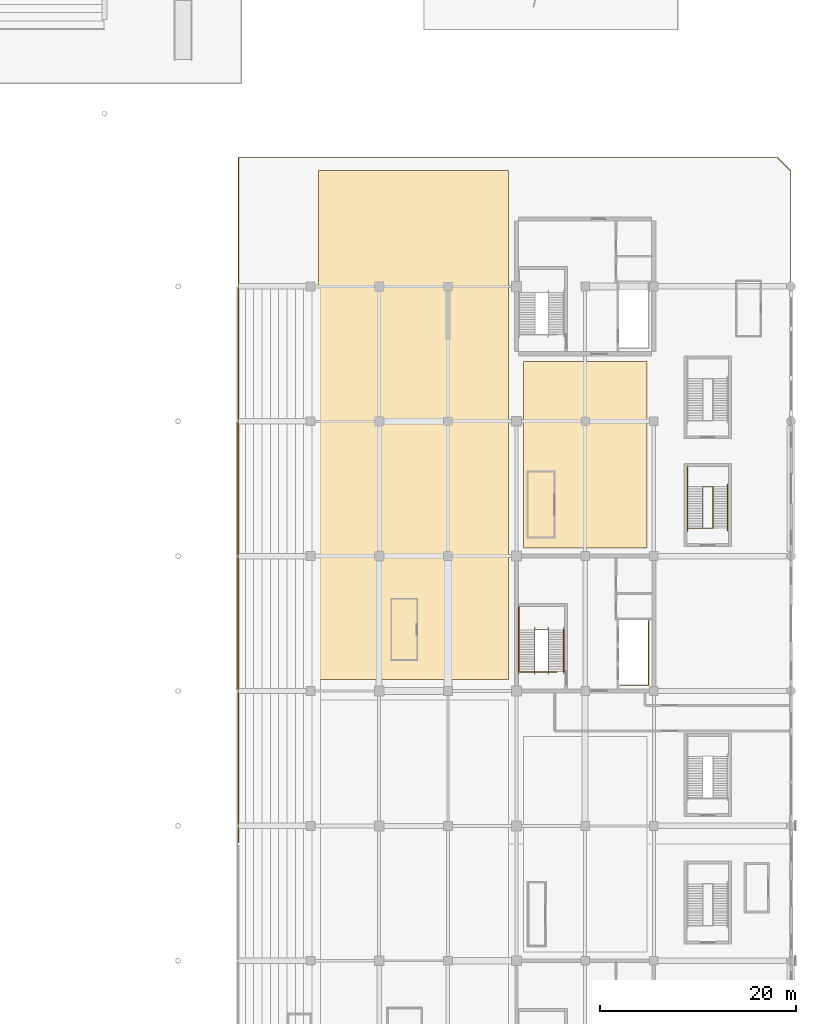
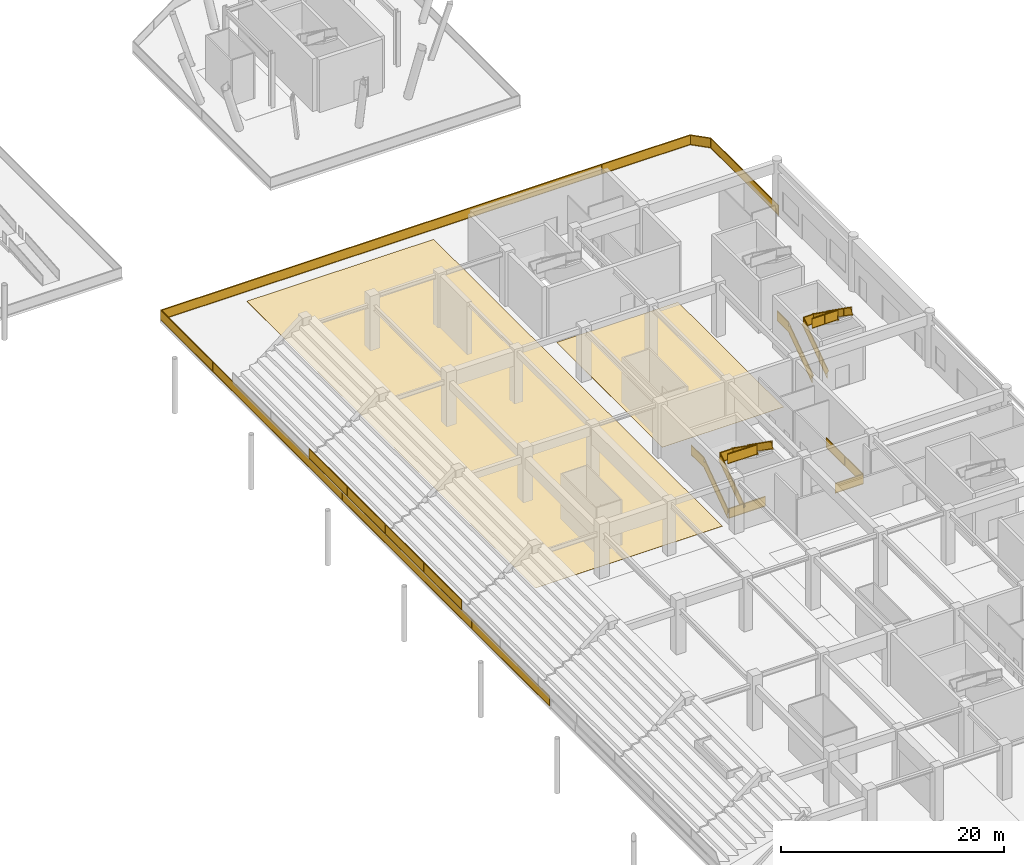
# One storey, part 66 of 73: 11 railings, 2 coverings.
"""IFC4 building model written with IfcOpenShell, lengths in metres."""

from ifc_helpers import new_model, si_unit, direction, frame, origin, origin_2d, place, context, subcontext, project, spatial, polyline, rectangle, outline, extrude, material, layer, layer_set, type_object, element, save


model = new_model("IFC4")

# Units and contexts
model_context = context("Model", 3, precision=1e-05, world=origin(), true_north=direction((0.0, 1.0)))
body_context = subcontext(model_context, "Body", "Model", "MODEL_VIEW")
ifc_project = project(units=[si_unit("LENGTHUNIT", "METRE"), si_unit("AREAUNIT", "SQUARE_METRE"), si_unit("VOLUMEUNIT", "CUBIC_METRE"), si_unit("PLANEANGLEUNIT", "RADIAN"), si_unit("MASSUNIT", "GRAM", prefix="KILO")], contexts=[model_context])

# Site, building, storey
site_placement = place(None, origin())
site = spatial("IfcSite", under=ifc_project, at=site_placement, CompositionType="ELEMENT")
building_placement = place(site_placement, origin())
building = spatial("IfcBuilding", under=site, at=building_placement, Name="Linyun Crest Stadium", CompositionType="ELEMENT")
storey_placement = place(building_placement, origin())
storey = spatial("IfcBuildingStorey", under=building, at=storey_placement, Name="L01", CompositionType="ELEMENT", Elevation=0.0)

# Coverings
ifc_material_1 = material(Name="Polymeric cushioned multi-sport athletic flooring")
ifc_layer = layer(ifc_material_1, 0.01806640625)
ifc_layer_set = layer_set([ifc_layer], Name="Polymeric cushioned multi-sport athletic flooring")
covering_type = type_object("IfcCoveringType", Name="FLR01", PredefinedType="FLOORING", material=ifc_layer_set)
covering_1_placement = place(storey_placement, origin())
element("IfcCovering", 1, at=covering_1_placement, inside=storey, type_object=covering_type, Name="Athletic flooring FLR01 12", PredefinedType="FLOORING", context=body_context, shape_type="SweptSolid", body=[
    extrude(outline(polyline([(49.800048828125, 3.300048828125), (69.199951171875, 3.300048828125), (69.199951171875, 55.199951171875), (49.800048828125, 55.199951171875), (49.800048828125, 3.300048828125)])), origin(), (0.0, 0.0, 1.0), 0.01806640625),
])
covering_2_placement = place(storey_placement, origin())
element("IfcCovering", 2, at=covering_2_placement, inside=storey, type_object=covering_type, Name="Athletic flooring FLR01 14", PredefinedType="FLOORING", context=body_context, shape_type="SweptSolid", body=[
    extrude(outline(polyline([(70.699951171875, 16.699951171875), (83.300048828125, 16.699951171875), (83.300048828125, 35.699951171875), (70.699951171875, 35.699951171875), (70.699951171875, 16.699951171875)])), origin(), (0.0, 0.0, 1.0), 0.01806640625),
])

# Railings
ifc_material_2 = material(Name="Galvanized and powder-coated steel bowl safety barrier", Category="steel")
railing_type_1 = type_object("IfcRailingType", Name="GR02", PredefinedType="GUARDRAIL", material=ifc_material_2)
for number, where, name in (
    (3, (41.5, 2.205078125, 1.199951171875), "Bowl front safety guard GR02 37"),
    (4, (41.5, 15.955078125, 1.199951171875), "Bowl front safety guard GR02 45"),
):
    element("IfcRailing", number, at=place(storey_placement, frame(where)), inside=storey, type_object=railing_type_1, Name=name, PredefinedType="GUARDRAIL", context=body_context, shape_type="SweptSolid", body=[
        extrude(rectangle(XDim=0.06005859375, YDim=0.06005859375, at=origin_2d()), frame((0.0, 0.0, 1.090087890625), z_axis=(0.0, 1.0, 0.0), x_axis=(-1.0, 0.0, 0.0)), (0.0, 0.0, 1.0), 13.58984375),
        extrude(rectangle(XDim=0.030029296875, YDim=1.0, at=origin_2d()), frame((0.0, 0.0, 0.56005859375), z_axis=(0.0, 1.0, 0.0), x_axis=(-1.0, 0.0, 0.0)), (0.0, 0.0, 1.0), 13.58984375),
        extrude(rectangle(XDim=0.06005859375, YDim=0.06005859375, at=origin_2d()), frame((0.0, 0.0, 0.030029296875), z_axis=(0.0, 1.0, 0.0), x_axis=(-1.0, 0.0, 0.0)), (0.0, 0.0, 1.0), 13.58984375),
        extrude(rectangle(XDim=0.050048828125, YDim=0.050048828125, at=origin_2d()), origin(), (0.0, 0.0, 1.0), 1.1201171875),
        extrude(rectangle(XDim=0.050048828125, YDim=0.050048828125, at=origin_2d()), frame((0.0, 2.264892578125, 0.0)), (0.0, 0.0, 1.0), 1.1201171875),
        extrude(rectangle(XDim=0.050048828125, YDim=0.050048828125, at=origin_2d()), frame((0.0, 4.530029296875, 0.0)), (0.0, 0.0, 1.0), 1.1201171875),
        extrude(rectangle(XDim=0.050048828125, YDim=0.050048828125, at=origin_2d()), frame((0.0, 6.794921875, 0.0)), (0.0, 0.0, 1.0), 1.1201171875),
        extrude(rectangle(XDim=0.050048828125, YDim=0.050048828125, at=origin_2d()), frame((0.0, 9.059814453125, 0.0)), (0.0, 0.0, 1.0), 1.1201171875),
        extrude(rectangle(XDim=0.050048828125, YDim=0.050048828125, at=origin_2d()), frame((0.0, 11.324951171875, 0.0)), (0.0, 0.0, 1.0), 1.1201171875),
        extrude(rectangle(XDim=0.050048828125, YDim=0.050048828125, at=origin_2d()), frame((0.0, 13.58984375, 0.0)), (0.0, 0.0, 1.0), 1.1201171875),
    ])
railing_1_placement = place(storey_placement, frame((41.659912109375, -13.330078125, 0.0)))
element("IfcRailing", 5, at=railing_1_placement, inside=storey, type_object=railing_type_1, Name="Slab edge balustrade GR02 107", PredefinedType="GUARDRAIL", context=body_context, shape_type="SweptSolid", body=[
    extrude(rectangle(XDim=0.06005859375, YDim=0.06005859375, at=origin_2d()), frame((0.0, 0.0, 1.090087890625), z_axis=(0.0, 1.0, 0.0), x_axis=(-1.0, 0.0, 0.0)), (0.0, 0.0, 1.0), 69.85498046875),
    extrude(rectangle(XDim=0.030029296875, YDim=1.0, at=origin_2d()), frame((0.0, 0.0, 0.56005859375), z_axis=(0.0, 1.0, 0.0), x_axis=(-1.0, 0.0, 0.0)), (0.0, 0.0, 1.0), 69.85498046875),
    extrude(rectangle(XDim=0.06005859375, YDim=0.06005859375, at=origin_2d()), frame((0.0, 0.0, 0.030029296875), z_axis=(0.0, 1.0, 0.0), x_axis=(-1.0, 0.0, 0.0)), (0.0, 0.0, 1.0), 69.85498046875),
    extrude(rectangle(XDim=0.06005859375, YDim=0.06005859375, at=origin_2d()), frame((0.0, 69.85498046875, 1.090087890625), z_axis=(1.0, 0.0, 0.0), x_axis=(0.0, 1.0, 0.0)), (0.0, 0.0, 1.0), 54.9150390625),
    extrude(rectangle(XDim=0.030029296875, YDim=1.0, at=origin_2d()), frame((0.0, 69.85498046875, 0.56005859375), z_axis=(1.0, 0.0, 0.0), x_axis=(0.0, 1.0, 0.0)), (0.0, 0.0, 1.0), 54.9150390625),
    extrude(rectangle(XDim=0.06005859375, YDim=0.06005859375, at=origin_2d()), frame((0.0, 69.85498046875, 0.030029296875), z_axis=(1.0, 0.0, 0.0), x_axis=(0.0, 1.0, 0.0)), (0.0, 0.0, 1.0), 54.9150390625),
    extrude(rectangle(XDim=0.06005859375, YDim=0.06005859375, at=origin_2d()), frame((54.9150390625, 69.85498046875, 1.090087890625), z_axis=(0.707106781187, -0.707106781187, 0.0), x_axis=(0.707106781187, 0.707106781187, 0.0)), (0.0, 0.0, 1.0), 1.930419921875),
    extrude(rectangle(XDim=0.030029296875, YDim=1.0, at=origin_2d()), frame((54.9150390625, 69.85498046875, 0.56005859375), z_axis=(0.707106781187, -0.707106781187, 0.0), x_axis=(0.707106781187, 0.707106781187, 0.0)), (0.0, 0.0, 1.0), 1.930419921875),
    extrude(rectangle(XDim=0.06005859375, YDim=0.06005859375, at=origin_2d()), frame((54.9150390625, 69.85498046875, 0.030029296875), z_axis=(0.707106781187, -0.707106781187, 0.0), x_axis=(0.707106781187, 0.707106781187, 0.0)), (0.0, 0.0, 1.0), 1.930419921875),
    extrude(rectangle(XDim=0.06005859375, YDim=0.06005859375, at=origin_2d()), frame((56.280029296875, 68.489990234375, 1.090087890625), z_axis=(0.0, -1.0, 0.0), x_axis=(1.0, 0.0, 0.0)), (0.0, 0.0, 1.0), 12.224853515625),
    extrude(rectangle(XDim=0.030029296875, YDim=1.0, at=origin_2d()), frame((56.280029296875, 68.489990234375, 0.56005859375), z_axis=(0.0, -1.0, 0.0), x_axis=(1.0, 0.0, 0.0)), (0.0, 0.0, 1.0), 12.224853515625),
    extrude(rectangle(XDim=0.06005859375, YDim=0.06005859375, at=origin_2d()), frame((56.280029296875, 68.489990234375, 0.030029296875), z_axis=(0.0, -1.0, 0.0), x_axis=(1.0, 0.0, 0.0)), (0.0, 0.0, 1.0), 12.224853515625),
    extrude(rectangle(XDim=0.050048828125, YDim=0.050048828125, at=origin_2d()), origin(), (0.0, 0.0, 1.0), 1.1201171875),
    extrude(rectangle(XDim=0.050048828125, YDim=0.050048828125, at=origin_2d()), frame((0.0, 4.656982421875, 0.0)), (0.0, 0.0, 1.0), 1.1201171875),
    extrude(rectangle(XDim=0.050048828125, YDim=0.050048828125, at=origin_2d()), frame((0.0, 9.31396484375, 0.0)), (0.0, 0.0, 1.0), 1.1201171875),
    extrude(rectangle(XDim=0.050048828125, YDim=0.050048828125, at=origin_2d()), frame((0.0, 13.970947265625, 0.0)), (0.0, 0.0, 1.0), 1.1201171875),
    extrude(rectangle(XDim=0.050048828125, YDim=0.050048828125, at=origin_2d()), frame((0.0, 18.6279296875, 0.0)), (0.0, 0.0, 1.0), 1.1201171875),
    extrude(rectangle(XDim=0.050048828125, YDim=0.050048828125, at=origin_2d()), frame((0.0, 23.284912109375, 0.0)), (0.0, 0.0, 1.0), 1.1201171875),
    extrude(rectangle(XDim=0.050048828125, YDim=0.050048828125, at=origin_2d()), frame((0.0, 27.94189453125, 0.0)), (0.0, 0.0, 1.0), 1.1201171875),
    extrude(rectangle(XDim=0.050048828125, YDim=0.050048828125, at=origin_2d()), frame((0.0, 32.598876953125, 0.0)), (0.0, 0.0, 1.0), 1.1201171875),
    extrude(rectangle(XDim=0.050048828125, YDim=0.050048828125, at=origin_2d()), frame((0.0, 37.256103515625, 0.0)), (0.0, 0.0, 1.0), 1.1201171875),
    extrude(rectangle(XDim=0.050048828125, YDim=0.050048828125, at=origin_2d()), frame((0.0, 41.9130859375, 0.0)), (0.0, 0.0, 1.0), 1.1201171875),
    extrude(rectangle(XDim=0.050048828125, YDim=0.050048828125, at=origin_2d()), frame((0.0, 46.570068359375, 0.0)), (0.0, 0.0, 1.0), 1.1201171875),
    extrude(rectangle(XDim=0.050048828125, YDim=0.050048828125, at=origin_2d()), frame((0.0, 51.22705078125, 0.0)), (0.0, 0.0, 1.0), 1.1201171875),
    extrude(rectangle(XDim=0.050048828125, YDim=0.050048828125, at=origin_2d()), frame((0.0, 55.884033203125, 0.0)), (0.0, 0.0, 1.0), 1.1201171875),
    extrude(rectangle(XDim=0.050048828125, YDim=0.050048828125, at=origin_2d()), frame((0.0, 60.541015625, 0.0)), (0.0, 0.0, 1.0), 1.1201171875),
    extrude(rectangle(XDim=0.050048828125, YDim=0.050048828125, at=origin_2d()), frame((0.0, 65.197998046875, 0.0)), (0.0, 0.0, 1.0), 1.1201171875),
    extrude(rectangle(XDim=0.050048828125, YDim=0.050048828125, at=origin_2d()), frame((0.0, 69.85498046875, 0.0)), (0.0, 0.0, 1.0), 1.1201171875),
    extrude(rectangle(XDim=0.050048828125, YDim=0.050048828125, at=origin_2d()), frame((4.576171875, 69.85498046875, 0.0)), (0.0, 0.0, 1.0), 1.1201171875),
    extrude(rectangle(XDim=0.050048828125, YDim=0.050048828125, at=origin_2d()), frame((9.152587890625, 69.85498046875, 0.0)), (0.0, 0.0, 1.0), 1.1201171875),
    extrude(rectangle(XDim=0.050048828125, YDim=0.050048828125, at=origin_2d()), frame((13.728759765625, 69.85498046875, 0.0)), (0.0, 0.0, 1.0), 1.1201171875),
    extrude(rectangle(XDim=0.050048828125, YDim=0.050048828125, at=origin_2d()), frame((18.304931640625, 69.85498046875, 0.0)), (0.0, 0.0, 1.0), 1.1201171875),
    extrude(rectangle(XDim=0.050048828125, YDim=0.050048828125, at=origin_2d()), frame((22.88134765625, 69.85498046875, 0.0)), (0.0, 0.0, 1.0), 1.1201171875),
    extrude(rectangle(XDim=0.050048828125, YDim=0.050048828125, at=origin_2d()), frame((27.45751953125, 69.85498046875, 0.0)), (0.0, 0.0, 1.0), 1.1201171875),
    extrude(rectangle(XDim=0.050048828125, YDim=0.050048828125, at=origin_2d()), frame((32.03369140625, 69.85498046875, 0.0)), (0.0, 0.0, 1.0), 1.1201171875),
    extrude(rectangle(XDim=0.050048828125, YDim=0.050048828125, at=origin_2d()), frame((36.610107421875, 69.85498046875, 0.0)), (0.0, 0.0, 1.0), 1.1201171875),
    extrude(rectangle(XDim=0.050048828125, YDim=0.050048828125, at=origin_2d()), frame((41.186279296875, 69.85498046875, 0.0)), (0.0, 0.0, 1.0), 1.1201171875),
    extrude(rectangle(XDim=0.050048828125, YDim=0.050048828125, at=origin_2d()), frame((45.762451171875, 69.85498046875, 0.0)), (0.0, 0.0, 1.0), 1.1201171875),
    extrude(rectangle(XDim=0.050048828125, YDim=0.050048828125, at=origin_2d()), frame((50.3388671875, 69.85498046875, 0.0)), (0.0, 0.0, 1.0), 1.1201171875),
    extrude(rectangle(XDim=0.050048828125, YDim=0.050048828125, at=origin_2d()), frame((54.9150390625, 69.85498046875, 0.0)), (0.0, 0.0, 1.0), 1.1201171875),
    extrude(rectangle(XDim=0.050048828125, YDim=0.050048828125, at=origin_2d()), frame((56.280029296875, 68.489990234375, 0.0)), (0.0, 0.0, 1.0), 1.1201171875),
    extrude(rectangle(XDim=0.050048828125, YDim=0.050048828125, at=origin_2d()), frame((56.280029296875, 64.4150390625, 0.0)), (0.0, 0.0, 1.0), 1.1201171875),
    extrude(rectangle(XDim=0.050048828125, YDim=0.050048828125, at=origin_2d()), frame((56.280029296875, 60.340087890625, 0.0)), (0.0, 0.0, 1.0), 1.1201171875),
    extrude(rectangle(XDim=0.050048828125, YDim=0.050048828125, at=origin_2d()), frame((56.280029296875, 56.26513671875, 0.0)), (0.0, 0.0, 1.0), 1.1201171875),
])
railing_2_placement = place(storey_placement, frame((80.580078125, 2.715087890625, 0.0)))
element("IfcRailing", 6, at=railing_2_placement, inside=storey, type_object=railing_type_1, Name="Slab edge balustrade GR02 113", PredefinedType="GUARDRAIL", context=body_context, shape_type="SweptSolid", body=[
    extrude(rectangle(XDim=0.06005859375, YDim=0.06005859375, at=origin_2d()), frame((0.0, 0.0, 1.090087890625), z_axis=(1.0, 0.0, 0.0), x_axis=(0.0, 1.0, 0.0)), (0.0, 0.0, 1.0), 2.8798828125),
    extrude(rectangle(XDim=0.030029296875, YDim=1.0, at=origin_2d()), frame((0.0, 0.0, 0.56005859375), z_axis=(1.0, 0.0, 0.0), x_axis=(0.0, 1.0, 0.0)), (0.0, 0.0, 1.0), 2.8798828125),
    extrude(rectangle(XDim=0.06005859375, YDim=0.06005859375, at=origin_2d()), frame((0.0, 0.0, 0.030029296875), z_axis=(1.0, 0.0, 0.0), x_axis=(0.0, 1.0, 0.0)), (0.0, 0.0, 1.0), 2.8798828125),
    extrude(rectangle(XDim=0.06005859375, YDim=0.06005859375, at=origin_2d()), frame((2.8798828125, 0.0, 1.090087890625), z_axis=(0.0, 1.0, 0.0), x_axis=(-1.0, 0.0, 0.0)), (0.0, 0.0, 1.0), 6.5498046875),
    extrude(rectangle(XDim=0.030029296875, YDim=1.0, at=origin_2d()), frame((2.8798828125, 0.0, 0.56005859375), z_axis=(0.0, 1.0, 0.0), x_axis=(-1.0, 0.0, 0.0)), (0.0, 0.0, 1.0), 6.5498046875),
    extrude(rectangle(XDim=0.06005859375, YDim=0.06005859375, at=origin_2d()), frame((2.8798828125, 0.0, 0.030029296875), z_axis=(0.0, 1.0, 0.0), x_axis=(-1.0, 0.0, 0.0)), (0.0, 0.0, 1.0), 6.5498046875),
    extrude(rectangle(XDim=0.050048828125, YDim=0.050048828125, at=origin_2d()), origin(), (0.0, 0.0, 1.0), 1.1201171875),
    extrude(rectangle(XDim=0.050048828125, YDim=0.050048828125, at=origin_2d()), frame((2.8798828125, 0.0, 0.0)), (0.0, 0.0, 1.0), 1.1201171875),
    extrude(rectangle(XDim=0.050048828125, YDim=0.050048828125, at=origin_2d()), frame((2.8798828125, 3.27490234375, 0.0)), (0.0, 0.0, 1.0), 1.1201171875),
    extrude(rectangle(XDim=0.050048828125, YDim=0.050048828125, at=origin_2d()), frame((2.8798828125, 6.5498046875, 0.0)), (0.0, 0.0, 1.0), 1.1201171875),
])
railing_3_placement = place(storey_placement, frame((70.340087890625, 4.0849609375, 0.0)))
element("IfcRailing", 7, at=railing_3_placement, inside=storey, type_object=railing_type_1, Name="Slab edge balustrade GR02 115", PredefinedType="GUARDRAIL", context=body_context, shape_type="SweptSolid", body=[
    extrude(rectangle(XDim=0.06005859375, YDim=0.06005859375, at=origin_2d()), frame((0.0, 0.0, 1.090087890625), z_axis=(1.0, 0.0, 0.0), x_axis=(0.0, 1.0, 0.0)), (0.0, 0.0, 1.0), 3.760009765625),
    extrude(rectangle(XDim=0.030029296875, YDim=1.0, at=origin_2d()), frame((0.0, 0.0, 0.56005859375), z_axis=(1.0, 0.0, 0.0), x_axis=(0.0, 1.0, 0.0)), (0.0, 0.0, 1.0), 3.760009765625),
    extrude(rectangle(XDim=0.06005859375, YDim=0.06005859375, at=origin_2d()), frame((0.0, 0.0, 0.030029296875), z_axis=(1.0, 0.0, 0.0), x_axis=(0.0, 1.0, 0.0)), (0.0, 0.0, 1.0), 3.760009765625),
    extrude(rectangle(XDim=0.050048828125, YDim=0.050048828125, at=origin_2d()), origin(), (0.0, 0.0, 1.0), 1.1201171875),
    extrude(rectangle(XDim=0.050048828125, YDim=0.050048828125, at=origin_2d()), frame((3.760009765625, 0.0, 0.0)), (0.0, 0.0, 1.0), 1.1201171875),
])
ifc_material_3 = material(Name="Painted steel stairwell safety guard", Category="steel")
railing_type_2 = type_object("IfcRailingType", Name="GR03", PredefinedType="GUARDRAIL", material=ifc_material_3)
railing_4_placement = place(storey_placement, frame((70.22998046875, 4.114990234375, 0.0)))
element("IfcRailing", 8, at=railing_4_placement, inside=storey, type_object=railing_type_2, Name="STR-05-L01 outer guard", PredefinedType="GUARDRAIL", context=body_context, shape_type="SweptSolid", body=[
    extrude(rectangle(XDim=0.06005859375, YDim=0.06005859375, at=origin_2d()), frame((0.0, 0.0, 1.090087890625), z_axis=(0.0, 0.816967863265, 0.576683197599), x_axis=(-1.0, 0.0, 0.0)), (0.0, 0.0, 1.0), 5.2021484375),
    extrude(rectangle(XDim=0.030029296875, YDim=1.0, at=origin_2d()), frame((0.0, 0.0, 0.56005859375), z_axis=(0.0, 0.816967863265, 0.576683197599), x_axis=(-1.0, 0.0, 0.0)), (0.0, 0.0, 1.0), 5.2021484375),
    extrude(rectangle(XDim=0.06005859375, YDim=0.06005859375, at=origin_2d()), frame((0.0, 0.0, 0.030029296875), z_axis=(0.0, 0.816967863265, 0.576683197599), x_axis=(-1.0, 0.0, 0.0)), (0.0, 0.0, 1.0), 5.2021484375),
    extrude(rectangle(XDim=0.06005859375, YDim=0.06005859375, at=origin_2d()), frame((0.0, 4.25, 4.090087890625), z_axis=(0.0, 1.0, 0.0), x_axis=(-1.0, 0.0, 0.0)), (0.0, 0.0, 1.0), 2.330078125),
    extrude(rectangle(XDim=0.030029296875, YDim=1.0, at=origin_2d()), frame((0.0, 4.25, 3.56005859375), z_axis=(0.0, 1.0, 0.0), x_axis=(-1.0, 0.0, 0.0)), (0.0, 0.0, 1.0), 2.330078125),
    extrude(rectangle(XDim=0.06005859375, YDim=0.06005859375, at=origin_2d()), frame((0.0, 4.25, 3.030029296875), z_axis=(0.0, 1.0, 0.0), x_axis=(-1.0, 0.0, 0.0)), (0.0, 0.0, 1.0), 2.330078125),
    extrude(rectangle(XDim=0.050048828125, YDim=0.050048828125, at=origin_2d()), origin(), (0.0, 0.0, 1.0), 1.1201171875),
    extrude(rectangle(XDim=0.050048828125, YDim=0.050048828125, at=origin_2d()), frame((0.0, 1.416748046875, 1.0)), (0.0, 0.0, 1.0), 1.1201171875),
    extrude(rectangle(XDim=0.050048828125, YDim=0.050048828125, at=origin_2d()), frame((0.0, 2.833251953125, 2.0)), (0.0, 0.0, 1.0), 1.1201171875),
    extrude(rectangle(XDim=0.050048828125, YDim=0.050048828125, at=origin_2d()), frame((0.0, 4.25, 3.0)), (0.0, 0.0, 1.0), 1.1201171875),
    extrude(rectangle(XDim=0.050048828125, YDim=0.050048828125, at=origin_2d()), frame((0.0, 5.4150390625, 3.0)), (0.0, 0.0, 1.0), 1.1201171875),
    extrude(rectangle(XDim=0.050048828125, YDim=0.050048828125, at=origin_2d()), frame((0.0, 6.580078125, 3.0)), (0.0, 0.0, 1.0), 1.1201171875),
])
railing_5_placement = place(storey_placement, frame((71.8701171875, 4.094970703125, 0.0)))
element("IfcRailing", 9, at=railing_5_placement, inside=storey, type_object=railing_type_2, Name="STR-05-L01 inner well guard", PredefinedType="GUARDRAIL", context=body_context, shape_type="SweptSolid", body=[
    extrude(rectangle(XDim=0.06005859375, YDim=0.06005859375, at=origin_2d()), frame((0.0, 0.0, 1.090087890625), z_axis=(0.0, 0.818241657069, 0.574874412926), x_axis=(-1.0, 0.0, 0.0)), (0.0, 0.0, 1.0), 5.218505859375),
    extrude(rectangle(XDim=0.030029296875, YDim=1.0, at=origin_2d()), frame((0.0, 0.0, 0.56005859375), z_axis=(0.0, 0.818241657069, 0.574874412926), x_axis=(-1.0, 0.0, 0.0)), (0.0, 0.0, 1.0), 5.218505859375),
    extrude(rectangle(XDim=0.06005859375, YDim=0.06005859375, at=origin_2d()), frame((0.0, 0.0, 0.030029296875), z_axis=(0.0, 0.818241657069, 0.574874412926), x_axis=(-1.0, 0.0, 0.0)), (0.0, 0.0, 1.0), 5.218505859375),
    extrude(rectangle(XDim=0.06005859375, YDim=0.06005859375, at=origin_2d()), frame((0.0, 4.27001953125, 4.090087890625), z_axis=(1.0, 0.0, 0.0), x_axis=(0.0, 1.0, 0.0)), (0.0, 0.0, 1.0), 1.35986328125),
    extrude(rectangle(XDim=0.030029296875, YDim=1.0, at=origin_2d()), frame((0.0, 4.27001953125, 3.56005859375), z_axis=(1.0, 0.0, 0.0), x_axis=(0.0, 1.0, 0.0)), (0.0, 0.0, 1.0), 1.35986328125),
    extrude(rectangle(XDim=0.06005859375, YDim=0.06005859375, at=origin_2d()), frame((0.0, 4.27001953125, 3.030029296875), z_axis=(1.0, 0.0, 0.0), x_axis=(0.0, 1.0, 0.0)), (0.0, 0.0, 1.0), 1.35986328125),
    extrude(rectangle(XDim=0.06005859375, YDim=0.06005859375, at=origin_2d()), frame((1.35986328125, 4.27001953125, 4.090087890625), z_axis=(0.0, -0.818241657069, 0.574874412926), x_axis=(1.0, 0.0, 0.0)), (0.0, 0.0, 1.0), 5.218505859375),
    extrude(rectangle(XDim=0.030029296875, YDim=1.0, at=origin_2d()), frame((1.35986328125, 4.27001953125, 3.56005859375), z_axis=(0.0, -0.818241657069, 0.574874412926), x_axis=(1.0, 0.0, 0.0)), (0.0, 0.0, 1.0), 5.218505859375),
    extrude(rectangle(XDim=0.06005859375, YDim=0.06005859375, at=origin_2d()), frame((1.35986328125, 4.27001953125, 3.030029296875), z_axis=(0.0, -0.818241657069, 0.574874412926), x_axis=(1.0, 0.0, 0.0)), (0.0, 0.0, 1.0), 5.218505859375),
    extrude(rectangle(XDim=0.06005859375, YDim=0.06005859375, at=origin_2d()), frame((1.35986328125, 0.0, 7.090087890625), z_axis=(-1.0, 0.0, 0.0), x_axis=(0.0, -1.0, 0.0)), (0.0, 0.0, 1.0), 3.010009765625),
    extrude(rectangle(XDim=0.030029296875, YDim=1.0, at=origin_2d()), frame((1.35986328125, 0.0, 6.56005859375), z_axis=(-1.0, 0.0, 0.0), x_axis=(0.0, -1.0, 0.0)), (0.0, 0.0, 1.0), 3.010009765625),
    extrude(rectangle(XDim=0.06005859375, YDim=0.06005859375, at=origin_2d()), frame((1.35986328125, 0.0, 6.030029296875), z_axis=(-1.0, 0.0, 0.0), x_axis=(0.0, -1.0, 0.0)), (0.0, 0.0, 1.0), 3.010009765625),
    extrude(rectangle(XDim=0.050048828125, YDim=0.050048828125, at=origin_2d()), origin(), (0.0, 0.0, 1.0), 1.1201171875),
    extrude(rectangle(XDim=0.050048828125, YDim=0.050048828125, at=origin_2d()), frame((0.0, 1.42333984375, 1.0)), (0.0, 0.0, 1.0), 1.1201171875),
    extrude(rectangle(XDim=0.050048828125, YDim=0.050048828125, at=origin_2d()), frame((0.0, 2.8466796875, 2.0)), (0.0, 0.0, 1.0), 1.1201171875),
    extrude(rectangle(XDim=0.050048828125, YDim=0.050048828125, at=origin_2d()), frame((0.0, 4.27001953125, 3.0)), (0.0, 0.0, 1.0), 1.1201171875),
    extrude(rectangle(XDim=0.050048828125, YDim=0.050048828125, at=origin_2d()), frame((1.35986328125, 4.27001953125, 3.0)), (0.0, 0.0, 1.0), 1.1201171875),
    extrude(rectangle(XDim=0.050048828125, YDim=0.050048828125, at=origin_2d()), frame((1.35986328125, 2.8466796875, 4.0)), (0.0, 0.0, 1.0), 1.1201171875),
    extrude(rectangle(XDim=0.050048828125, YDim=0.050048828125, at=origin_2d()), frame((1.35986328125, 1.42333984375, 5.0)), (0.0, 0.0, 1.0), 1.1201171875),
    extrude(rectangle(XDim=0.050048828125, YDim=0.050048828125, at=origin_2d()), frame((1.35986328125, 0.0, 6.0)), (0.0, 0.0, 1.0), 1.1201171875),
    extrude(rectangle(XDim=0.050048828125, YDim=0.050048828125, at=origin_2d()), frame((-0.14501953125, 0.0, 6.0)), (0.0, 0.0, 1.0), 1.1201171875),
    extrude(rectangle(XDim=0.050048828125, YDim=0.050048828125, at=origin_2d()), frame((-1.650146484375, 0.0, 6.0)), (0.0, 0.0, 1.0), 1.1201171875),
])
railing_6_placement = place(storey_placement, frame((87.429931640625, 18.719970703125, 0.0)))
element("IfcRailing", 10, at=railing_6_placement, inside=storey, type_object=railing_type_2, Name="STR-21-L01 outer guard", PredefinedType="GUARDRAIL", context=body_context, shape_type="SweptSolid", body=[
    extrude(rectangle(XDim=0.06005859375, YDim=0.06005859375, at=origin_2d()), frame((0.0, 0.0, 1.090087890625), z_axis=(0.0, 0.816967863265, 0.576683197599), x_axis=(-1.0, 0.0, 0.0)), (0.0, 0.0, 1.0), 5.2021484375),
    extrude(rectangle(XDim=0.030029296875, YDim=1.0, at=origin_2d()), frame((0.0, 0.0, 0.56005859375), z_axis=(0.0, 0.816967863265, 0.576683197599), x_axis=(-1.0, 0.0, 0.0)), (0.0, 0.0, 1.0), 5.2021484375),
    extrude(rectangle(XDim=0.06005859375, YDim=0.06005859375, at=origin_2d()), frame((0.0, 0.0, 0.030029296875), z_axis=(0.0, 0.816967863265, 0.576683197599), x_axis=(-1.0, 0.0, 0.0)), (0.0, 0.0, 1.0), 5.2021484375),
    extrude(rectangle(XDim=0.06005859375, YDim=0.06005859375, at=origin_2d()), frame((0.0, 4.25, 4.090087890625), z_axis=(0.0, 1.0, 0.0), x_axis=(-1.0, 0.0, 0.0)), (0.0, 0.0, 1.0), 2.0),
    extrude(rectangle(XDim=0.030029296875, YDim=1.0, at=origin_2d()), frame((0.0, 4.25, 3.56005859375), z_axis=(0.0, 1.0, 0.0), x_axis=(-1.0, 0.0, 0.0)), (0.0, 0.0, 1.0), 2.0),
    extrude(rectangle(XDim=0.06005859375, YDim=0.06005859375, at=origin_2d()), frame((0.0, 4.25, 3.030029296875), z_axis=(0.0, 1.0, 0.0), x_axis=(-1.0, 0.0, 0.0)), (0.0, 0.0, 1.0), 2.0),
    extrude(rectangle(XDim=0.050048828125, YDim=0.050048828125, at=origin_2d()), origin(), (0.0, 0.0, 1.0), 1.1201171875),
    extrude(rectangle(XDim=0.050048828125, YDim=0.050048828125, at=origin_2d()), frame((0.0, 1.416748046875, 1.0)), (0.0, 0.0, 1.0), 1.1201171875),
    extrude(rectangle(XDim=0.050048828125, YDim=0.050048828125, at=origin_2d()), frame((0.0, 2.833251953125, 2.0)), (0.0, 0.0, 1.0), 1.1201171875),
    extrude(rectangle(XDim=0.050048828125, YDim=0.050048828125, at=origin_2d()), frame((0.0, 4.25, 3.0)), (0.0, 0.0, 1.0), 1.1201171875),
    extrude(rectangle(XDim=0.050048828125, YDim=0.050048828125, at=origin_2d()), frame((0.0, 6.25, 3.0)), (0.0, 0.0, 1.0), 1.1201171875),
])
railing_7_placement = place(storey_placement, frame((88.969970703125, 18.699951171875, 0.0)))
element("IfcRailing", 11, at=railing_7_placement, inside=storey, type_object=railing_type_2, Name="STR-21-L01 inner well guard", PredefinedType="GUARDRAIL", context=body_context, shape_type="SweptSolid", body=[
    extrude(rectangle(XDim=0.06005859375, YDim=0.06005859375, at=origin_2d()), frame((0.0, 0.0, 1.090087890625), z_axis=(0.0, 0.818241657069, 0.574874412926), x_axis=(-1.0, 0.0, 0.0)), (0.0, 0.0, 1.0), 5.218505859375),
    extrude(rectangle(XDim=0.030029296875, YDim=1.0, at=origin_2d()), frame((0.0, 0.0, 0.56005859375), z_axis=(0.0, 0.818241657069, 0.574874412926), x_axis=(-1.0, 0.0, 0.0)), (0.0, 0.0, 1.0), 5.218505859375),
    extrude(rectangle(XDim=0.06005859375, YDim=0.06005859375, at=origin_2d()), frame((0.0, 0.0, 0.030029296875), z_axis=(0.0, 0.818241657069, 0.574874412926), x_axis=(-1.0, 0.0, 0.0)), (0.0, 0.0, 1.0), 5.218505859375),
    extrude(rectangle(XDim=0.06005859375, YDim=0.06005859375, at=origin_2d()), frame((0.0, 4.27001953125, 4.090087890625), z_axis=(1.0, 0.0, 0.0), x_axis=(0.0, 1.0, 0.0)), (0.0, 0.0, 1.0), 1.06005859375),
    extrude(rectangle(XDim=0.030029296875, YDim=1.0, at=origin_2d()), frame((0.0, 4.27001953125, 3.56005859375), z_axis=(1.0, 0.0, 0.0), x_axis=(0.0, 1.0, 0.0)), (0.0, 0.0, 1.0), 1.06005859375),
    extrude(rectangle(XDim=0.06005859375, YDim=0.06005859375, at=origin_2d()), frame((0.0, 4.27001953125, 3.030029296875), z_axis=(1.0, 0.0, 0.0), x_axis=(0.0, 1.0, 0.0)), (0.0, 0.0, 1.0), 1.06005859375),
    extrude(rectangle(XDim=0.06005859375, YDim=0.06005859375, at=origin_2d()), frame((1.06005859375, 4.27001953125, 4.090087890625), z_axis=(0.0, -0.818241657069, 0.574874412926), x_axis=(1.0, 0.0, 0.0)), (0.0, 0.0, 1.0), 5.218505859375),
    extrude(rectangle(XDim=0.030029296875, YDim=1.0, at=origin_2d()), frame((1.06005859375, 4.27001953125, 3.56005859375), z_axis=(0.0, -0.818241657069, 0.574874412926), x_axis=(1.0, 0.0, 0.0)), (0.0, 0.0, 1.0), 5.218505859375),
    extrude(rectangle(XDim=0.06005859375, YDim=0.06005859375, at=origin_2d()), frame((1.06005859375, 4.27001953125, 3.030029296875), z_axis=(0.0, -0.818241657069, 0.574874412926), x_axis=(1.0, 0.0, 0.0)), (0.0, 0.0, 1.0), 5.218505859375),
    extrude(rectangle(XDim=0.06005859375, YDim=0.06005859375, at=origin_2d()), frame((1.06005859375, 0.0, 7.090087890625), z_axis=(-1.0, 0.0, 0.0), x_axis=(0.0, -1.0, 0.0)), (0.0, 0.0, 1.0), 2.610107421875),
    extrude(rectangle(XDim=0.030029296875, YDim=1.0, at=origin_2d()), frame((1.06005859375, 0.0, 6.56005859375), z_axis=(-1.0, 0.0, 0.0), x_axis=(0.0, -1.0, 0.0)), (0.0, 0.0, 1.0), 2.610107421875),
    extrude(rectangle(XDim=0.06005859375, YDim=0.06005859375, at=origin_2d()), frame((1.06005859375, 0.0, 6.030029296875), z_axis=(-1.0, 0.0, 0.0), x_axis=(0.0, -1.0, 0.0)), (0.0, 0.0, 1.0), 2.610107421875),
    extrude(rectangle(XDim=0.050048828125, YDim=0.050048828125, at=origin_2d()), origin(), (0.0, 0.0, 1.0), 1.1201171875),
    extrude(rectangle(XDim=0.050048828125, YDim=0.050048828125, at=origin_2d()), frame((0.0, 1.42333984375, 1.0)), (0.0, 0.0, 1.0), 1.1201171875),
    extrude(rectangle(XDim=0.050048828125, YDim=0.050048828125, at=origin_2d()), frame((0.0, 2.8466796875, 2.0)), (0.0, 0.0, 1.0), 1.1201171875),
    extrude(rectangle(XDim=0.050048828125, YDim=0.050048828125, at=origin_2d()), frame((0.0, 4.27001953125, 3.0)), (0.0, 0.0, 1.0), 1.1201171875),
    extrude(rectangle(XDim=0.050048828125, YDim=0.050048828125, at=origin_2d()), frame((1.06005859375, 4.27001953125, 3.0)), (0.0, 0.0, 1.0), 1.1201171875),
    extrude(rectangle(XDim=0.050048828125, YDim=0.050048828125, at=origin_2d()), frame((1.06005859375, 2.8466796875, 4.0)), (0.0, 0.0, 1.0), 1.1201171875),
    extrude(rectangle(XDim=0.050048828125, YDim=0.050048828125, at=origin_2d()), frame((1.06005859375, 1.42333984375, 5.0)), (0.0, 0.0, 1.0), 1.1201171875),
    extrude(rectangle(XDim=0.050048828125, YDim=0.050048828125, at=origin_2d()), frame((1.06005859375, 0.0, 6.0)), (0.0, 0.0, 1.0), 1.1201171875),
    extrude(rectangle(XDim=0.050048828125, YDim=0.050048828125, at=origin_2d()), frame((-0.2451171875, 0.0, 6.0)), (0.0, 0.0, 1.0), 1.1201171875),
    extrude(rectangle(XDim=0.050048828125, YDim=0.050048828125, at=origin_2d()), frame((-1.550048828125, 0.0, 6.0)), (0.0, 0.0, 1.0), 1.1201171875),
])
ifc_material_4 = material(Name="Brushed stainless steel tubular handrail", Category="steel")
railing_type_3 = type_object("IfcRailingType", Name="HR01", PredefinedType="HANDRAIL", material=ifc_material_4)
for number, where, name in (
    (12, (74.820068359375, 8.364990234375, 3.0), "STR-05-L01 handrail"),
    (13, (91.52001953125, 22.969970703125, 3.0), "STR-21-L01 handrail"),
):
    element("IfcRailing", number, at=place(storey_placement, frame(where)), inside=storey, type_object=railing_type_3, Name=name, PredefinedType="HANDRAIL", context=body_context, shape_type="SweptSolid", body=[
        extrude(rectangle(XDim=0.06005859375, YDim=0.06005859375, at=origin_2d()), frame((0.0, 0.0, 0.889892578125), z_axis=(0.0, -0.816967863265, 0.576683197599), x_axis=(1.0, 0.0, 0.0)), (0.0, 0.0, 1.0), 5.2021484375),
        extrude(rectangle(XDim=0.030029296875, YDim=0.7998046875, at=origin_2d()), frame((0.0, 0.0, 0.4599609375), z_axis=(0.0, -0.816967863265, 0.576683197599), x_axis=(1.0, 0.0, 0.0)), (0.0, 0.0, 1.0), 5.2021484375),
        extrude(rectangle(XDim=0.06005859375, YDim=0.06005859375, at=origin_2d()), frame((0.0, 0.0, 0.030029296875), z_axis=(0.0, -0.816967863265, 0.576683197599), x_axis=(1.0, 0.0, 0.0)), (0.0, 0.0, 1.0), 5.2021484375),
        extrude(rectangle(XDim=0.050048828125, YDim=0.050048828125, at=origin_2d()), origin(), (0.0, 0.0, 1.0), 0.919921875),
        extrude(rectangle(XDim=0.050048828125, YDim=0.050048828125, at=origin_2d()), frame((0.0, -1.416748046875, 1.0)), (0.0, 0.0, 1.0), 0.919921875),
        extrude(rectangle(XDim=0.050048828125, YDim=0.050048828125, at=origin_2d()), frame((0.0, -2.833251953125, 2.0)), (0.0, 0.0, 1.0), 0.919921875),
        extrude(rectangle(XDim=0.050048828125, YDim=0.050048828125, at=origin_2d()), frame((0.0, -4.25, 3.0)), (0.0, 0.0, 1.0), 0.919921875),
    ])

save(model, "model.ifc")
